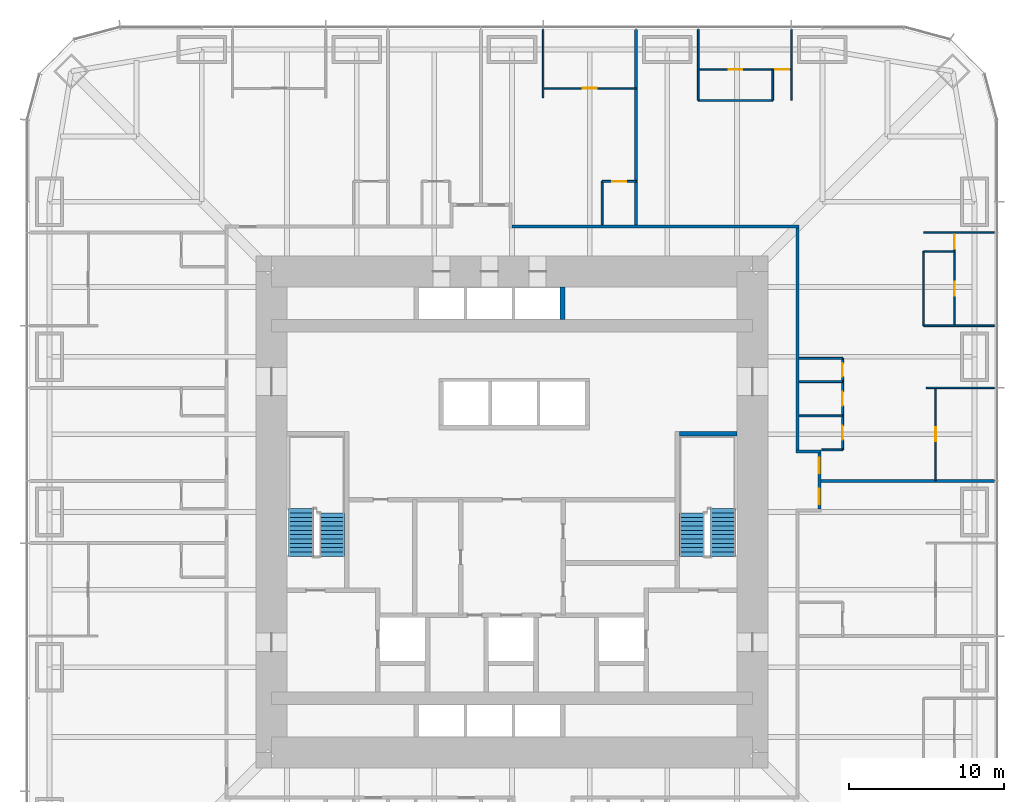
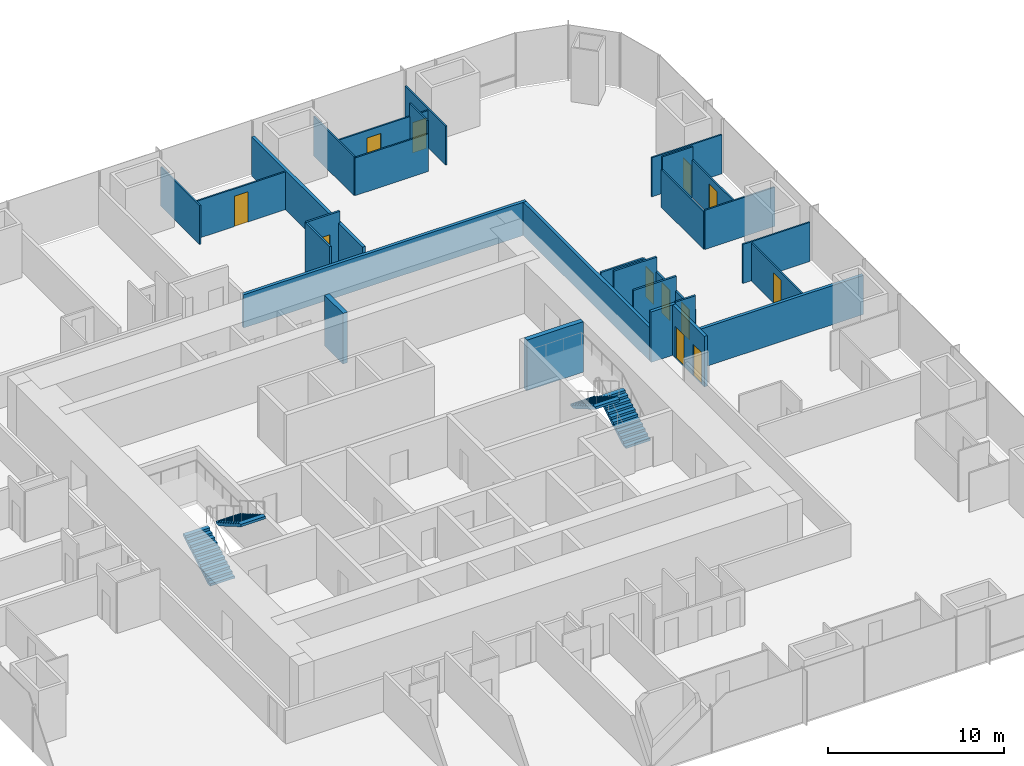
# One storey, part 15 of 16: 29 walls, 12 doors, 4 stair flights, 12 openings, 2 elements without a shape of their own.
"""IFC4 building model written with IfcOpenShell, lengths in metres."""

from ifc_helpers import new_model, si_unit, direction, frame, frame_2d, origin, place, context, subcontext, project, spatial, polyline, rectangle, outline, extrude, material, layer, layer_set, type_object, element, fill, aggregate, save


model = new_model("IFC4")

# Units and contexts
model_context = context("Model", 3, precision=1e-05, world=origin(), true_north=direction((0.0, 1.0)))
body_context = subcontext(model_context, "Body", "Model", "MODEL_VIEW")
ifc_project = project(units=[si_unit("LENGTHUNIT", "METRE"), si_unit("AREAUNIT", "SQUARE_METRE"), si_unit("VOLUMEUNIT", "CUBIC_METRE"), si_unit("PLANEANGLEUNIT", "RADIAN"), si_unit("MASSUNIT", "GRAM", prefix="KILO")], contexts=[model_context])

# Site, building, storey
site_placement = place(None, origin())
site = spatial("IfcSite", under=ifc_project, at=site_placement, CompositionType="ELEMENT")
building_placement = place(site_placement, origin())
building = spatial("IfcBuilding", under=site, at=building_placement, Name="Khuree Lantern Residences", CompositionType="ELEMENT")
storey_placement = place(building_placement, frame((0.0, 0.0, 69.75)))
storey = spatial("IfcBuildingStorey", under=building, at=storey_placement, Name="L17", CompositionType="ELEMENT", Elevation=69.75)

# Wall, openings, doors
ifc_material_1 = material(Name="Moisture-resistant gypsum board on steel studs", Category="steel")
ifc_layer_1 = layer(ifc_material_1, 0.125)
ifc_layer_set_1 = layer_set([ifc_layer_1], Name="BATHROOM WALL BTW125")
wall_type_1 = type_object("IfcWallType", Name="BATHROOM WALL BTW125", PredefinedType="PARTITIONING", material=ifc_layer_set_1)
wall_1_placement = place(storey_placement, frame((21.300048828125, 4.0, 0.0), z_axis=(0.0, 0.0, 1.0), x_axis=(0.0, 1.0, 0.0)))
wall_1 = element("IfcWall", 1, at=wall_1_placement, inside=storey, type_object=wall_type_1, Name="L17 BATHROOM WALL 02", PredefinedType="PARTITIONING", context=body_context, shape_type="SweptSolid", body=[
    extrude(rectangle(XDim=5.89990234375, YDim=0.125, at=frame_2d((2.949951171875, 0.0))), origin(), (0.0, 0.0, 1.0), 2.491943359375),
])
opening_1_placement = place(wall_1_placement, frame((0.64990234375, 0.0, 0.0)))
opening_1 = element("IfcOpeningElement", 2, at=opening_1_placement, cuts=wall_1, Name="Opening 17-028", PredefinedType="OPENING", context=body_context, shape_type="SweptSolid", body=[
    extrude(rectangle(XDim=0.89990234375, YDim=2.10009765625, at=frame_2d((0.449951171875, 1.050048828125))), frame((0.0, 0.072509765625, 0.0), z_axis=(0.0, -1.0, 0.0), x_axis=(1.0, 0.0, 0.0)), (0.0, 0.0, 1.0), 0.14501953125),
])
opening_2_placement = place(wall_1_placement, frame((2.85009765625, 0.0, 0.0)))
opening_2 = element("IfcOpeningElement", 3, at=opening_2_placement, cuts=wall_1, Name="Opening 17-029", PredefinedType="OPENING", context=body_context, shape_type="SweptSolid", body=[
    extrude(rectangle(XDim=0.89990234375, YDim=2.10009765625, at=frame_2d((0.449951171875, 1.050048828125))), frame((0.0, 0.072509765625, 0.0), z_axis=(0.0, -1.0, 0.0), x_axis=(1.0, 0.0, 0.0)), (0.0, 0.0, 1.0), 0.14501953125),
])
opening_3_placement = place(wall_1_placement, frame((4.699951171875, 0.0, 0.0)))
opening_3 = element("IfcOpeningElement", 4, at=opening_3_placement, cuts=wall_1, Name="Opening 17-030", PredefinedType="OPENING", context=body_context, shape_type="SweptSolid", body=[
    extrude(rectangle(XDim=0.89990234375, YDim=2.10009765625, at=frame_2d((0.449951171875, 1.050048828125))), frame((0.0, 0.072509765625, 0.0), z_axis=(0.0, -1.0, 0.0), x_axis=(1.0, 0.0, 0.0)), (0.0, 0.0, 1.0), 0.14501953125),
])
ifc_material_2 = material(Name="Timber door leaf in hardwood frame", Category="wood")
door_type_1 = type_object("IfcDoorType", Name="BATHROOM DOOR 900X2100", OperationType="SINGLE_SWING_LEFT", PredefinedType="DOOR", material=ifc_material_2)
door_1_placement = place(opening_1_placement, origin())
door_1 = element("IfcDoor", 5, at=door_1_placement, inside=storey, type_object=door_type_1, Name="Bathroom door 17-028", OperationType="SINGLE_SWING_LEFT", OverallHeight=2.10009765625, OverallWidth=0.89990234375, PredefinedType="DOOR", context=body_context, shape_type="SweptSolid", body=[
    extrude(rectangle(XDim=0.89990234375, YDim=2.10009765625, at=frame_2d((0.449951171875, 1.050048828125))), frame((0.0, 0.02490234375, 0.0), z_axis=(0.0, -1.0, 0.0), x_axis=(1.0, 0.0, 0.0)), (0.0, 0.0, 1.0), 0.050048828125),
])
fill(opening_1, door_1)
door_2_placement = place(opening_2_placement, origin())
door_2 = element("IfcDoor", 6, at=door_2_placement, inside=storey, type_object=door_type_1, Name="Bathroom door 17-029", OperationType="SINGLE_SWING_LEFT", OverallHeight=2.10009765625, OverallWidth=0.89990234375, PredefinedType="DOOR", context=body_context, shape_type="SweptSolid", body=[
    extrude(rectangle(XDim=0.89990234375, YDim=2.10009765625, at=frame_2d((0.449951171875, 1.050048828125))), frame((0.0, 0.02490234375, 0.0), z_axis=(0.0, -1.0, 0.0), x_axis=(1.0, 0.0, 0.0)), (0.0, 0.0, 1.0), 0.050048828125),
])
fill(opening_2, door_2)
door_type_2 = type_object("IfcDoorType", Name="WC DOOR 900X2100", OperationType="SINGLE_SWING_LEFT", PredefinedType="DOOR", material=ifc_material_2)
door_3_placement = place(opening_3_placement, origin())
door_3 = element("IfcDoor", 7, at=door_3_placement, inside=storey, type_object=door_type_2, Name="WC door 17-030", OperationType="SINGLE_SWING_LEFT", OverallHeight=2.10009765625, OverallWidth=0.89990234375, PredefinedType="DOOR", context=body_context, shape_type="SweptSolid", body=[
    extrude(rectangle(XDim=0.89990234375, YDim=2.10009765625, at=frame_2d((0.449951171875, 1.050048828125))), frame((0.0, 0.02490234375, 0.0), z_axis=(0.0, -1.0, 0.0), x_axis=(1.0, 0.0, 0.0)), (0.0, 0.0, 1.0), 0.050048828125),
])
fill(opening_3, door_3)

# Walls
wall_2_placement = place(storey_placement, frame((19.969970703125, 4.0, 0.0), z_axis=(0.0, 0.0, 1.0), x_axis=(1.0, 0.0, 0.0)))
element("IfcWall", 8, at=wall_2_placement, inside=storey, type_object=wall_type_1, Name="L17 BATHROOM WALL 02", PredefinedType="PARTITIONING", context=body_context, shape_type="SweptSolid", body=[
    extrude(rectangle(XDim=1.330078125, YDim=0.125, at=frame_2d((0.6650390625, 0.0))), origin(), (0.0, 0.0, 1.0), 3.5),
])
for number, where, z_axis, x_axis, name in (
    (9, (18.5, 6.199951171875, 0.0), (0.0, 0.0, 1.0), (1.0, 0.0, 0.0), "L17 BATHROOM WALL 02"),
    (10, (18.5, 8.39990234375, 0.0), (0.0, 0.0, 1.0), (1.0, 0.0, 0.0), "L17 BATHROOM WALL 02"),
):
    element("IfcWall", number, at=place(storey_placement, frame(where, z_axis=z_axis, x_axis=x_axis)), inside=storey, type_object=wall_type_1, Name=name, PredefinedType="PARTITIONING", context=body_context, shape_type="SweptSolid", body=[
        extrude(rectangle(XDim=2.800048828125, YDim=0.125, at=frame_2d((1.39990234375, 0.0))), origin(), (0.0, 0.0, 1.0), 3.5),
    ])
wall_3_placement = place(storey_placement, frame((18.5, 9.89990234375, 0.0), z_axis=(0.0, 0.0, 1.0), x_axis=(1.0, 0.0, 0.0)))
element("IfcWall", 11, at=wall_3_placement, inside=storey, type_object=wall_type_1, Name="L17 BATHROOM WALL 02", PredefinedType="PARTITIONING", context=body_context, shape_type="SweptSolid", body=[
    extrude(rectangle(XDim=2.800048828125, YDim=0.125, at=frame_2d((1.39990234375, 0.0))), origin(), (0.0, 0.0, 1.0), 2.491943359375),
])

# Wall, opening, door
wall_4_placement = place(storey_placement, frame((8.0, 21.300048828125, 0.0), z_axis=(0.0, 0.0, 1.0), x_axis=(-1.0, 0.0, 0.0)))
wall_4 = element("IfcWall", 12, at=wall_4_placement, inside=storey, type_object=wall_type_1, Name="L17 BATHROOM WALL 03", PredefinedType="PARTITIONING", context=body_context, shape_type="SweptSolid", body=[
    extrude(rectangle(XDim=2.199951171875, YDim=0.125, at=frame_2d((1.10009765625, 0.0))), origin(), (0.0, 0.0, 1.0), 3.5),
])
opening_4_placement = place(wall_4_placement, frame((0.64990234375, 0.0, 0.0)))
opening_4 = element("IfcOpeningElement", 13, at=opening_4_placement, cuts=wall_4, Name="Opening 17-033", PredefinedType="OPENING", context=body_context, shape_type="SweptSolid", body=[
    extrude(rectangle(XDim=0.89990234375, YDim=2.10009765625, at=frame_2d((0.449951171875, 1.050048828125))), frame((0.0, 0.072509765625, 0.0), z_axis=(0.0, -1.0, 0.0), x_axis=(1.0, 0.0, 0.0)), (0.0, 0.0, 1.0), 0.14501953125),
])
door_4_placement = place(opening_4_placement, origin())
door_4 = element("IfcDoor", 14, at=door_4_placement, inside=storey, type_object=door_type_1, Name="Bathroom door 17-033", OperationType="SINGLE_SWING_LEFT", OverallHeight=2.10009765625, OverallWidth=0.89990234375, PredefinedType="DOOR", context=body_context, shape_type="SweptSolid", body=[
    extrude(rectangle(XDim=0.89990234375, YDim=2.10009765625, at=frame_2d((0.449951171875, 1.050048828125))), frame((0.0, 0.02490234375, 0.0), z_axis=(0.0, -1.0, 0.0), x_axis=(1.0, 0.0, 0.0)), (0.0, 0.0, 1.0), 0.050048828125),
])
fill(opening_4, door_4)

# Walls
wall_5_placement = place(storey_placement, frame((5.800048828125, 18.5, 0.0), z_axis=(0.0, 0.0, 1.0), x_axis=(0.0, 1.0, 0.0)))
element("IfcWall", 15, at=wall_5_placement, inside=storey, type_object=wall_type_1, Name="L17 BATHROOM WALL 03", PredefinedType="PARTITIONING", context=body_context, shape_type="SweptSolid", body=[
    extrude(rectangle(XDim=2.800048828125, YDim=0.125, at=frame_2d((1.39990234375, 0.0))), origin(), (0.0, 0.0, 1.0), 3.5),
])
ifc_material_3 = material(Name="Dense concrete blockwork", Category="masonry")
ifc_layer_2 = layer(ifc_material_3, 0.300048828125)
ifc_layer_set_2 = layer_set([ifc_layer_2], Name="CORE PARTITION WALL CPW300 EI 120")
wall_type_2 = type_object("IfcWallType", Name="CORE PARTITION WALL CPW300 EI 120", PredefinedType="PARTITIONING", material=ifc_layer_set_2)
wall_6_placement = place(storey_placement, frame((3.25, 12.39990234375, 0.0), z_axis=(0.0, 0.0, 1.0), x_axis=(0.0, 1.0, 0.0)))
element("IfcWall", 16, at=wall_6_placement, inside=storey, type_object=wall_type_2, Name="L17 CORE WALL PLE", PredefinedType="PARTITIONING", context=body_context, shape_type="SweptSolid", body=[
    extrude(rectangle(XDim=2.10009765625, YDim=0.300048828125, at=frame_2d((1.050048828125, 0.0))), origin(), (0.0, 0.0, 1.0), 3.5),
])
ifc_material_4 = material(Name="Gypsum board on steel studs", Category="steel")
ifc_layer_3 = layer(ifc_material_4, 0.199951171875)
ifc_layer_set_3 = layer_set([ifc_layer_3], Name="CORRIDOR WALL CRW200 EI 60")
wall_type_3 = type_object("IfcWallType", Name="CORRIDOR WALL CRW200 EI 60", PredefinedType="PARTITIONING", material=ifc_layer_set_3)
wall_7_placement = place(storey_placement, frame((18.300048828125, 3.89990234375, 0.0), z_axis=(0.0, 0.0, 1.0), x_axis=(1.0, 0.0, 0.0)))
element("IfcWall", 17, at=wall_7_placement, inside=storey, type_object=wall_type_3, Name="L17 CORRIDOR ALCOVE WALL EAST", PredefinedType="PARTITIONING", context=body_context, shape_type="SweptSolid", body=[
    extrude(rectangle(XDim=1.599853515625, YDim=0.199951171875, at=frame_2d((0.7998046875, 0.0))), origin(), (0.0, 0.0, 1.0), 3.5),
])

# Wall, openings, doors
wall_8_placement = place(storey_placement, frame((19.800048828125, 0.199951171875, 0.0), z_axis=(0.0, 0.0, 1.0), x_axis=(0.0, 1.0, 0.0)))
wall_8 = element("IfcWall", 18, at=wall_8_placement, inside=storey, type_object=wall_type_3, Name="L17 CORRIDOR ALCOVE WALL EAST", PredefinedType="PARTITIONING", context=body_context, shape_type="SweptSolid", body=[
    extrude(rectangle(XDim=3.60009765625, YDim=0.199951171875, at=frame_2d((1.800048828125, 0.0))), origin(), (0.0, 0.0, 1.0), 3.5),
])
opening_5_placement = place(wall_8_placement, frame((0.300048828125, 0.0, 0.0)))
opening_5 = element("IfcOpeningElement", 19, at=opening_5_placement, cuts=wall_8, Name="Opening 17-022", PredefinedType="OPENING", context=body_context, shape_type="SweptSolid", body=[
    extrude(rectangle(XDim=1.0, YDim=2.199951171875, at=frame_2d((0.5, 1.10009765625))), frame((0.0, 0.10986328125, 0.0), z_axis=(0.0, -1.0, 0.0), x_axis=(1.0, 0.0, 0.0)), (0.0, 0.0, 1.0), 0.219970703125),
])
opening_6_placement = place(wall_8_placement, frame((2.300048828125, 0.0, 0.0)))
opening_6 = element("IfcOpeningElement", 20, at=opening_6_placement, cuts=wall_8, Name="Opening 17-031", PredefinedType="OPENING", context=body_context, shape_type="SweptSolid", body=[
    extrude(rectangle(XDim=1.0, YDim=2.199951171875, at=frame_2d((0.5, 1.10009765625))), frame((0.0, 0.10986328125, 0.0), z_axis=(0.0, -1.0, 0.0), x_axis=(1.0, 0.0, 0.0)), (0.0, 0.0, 1.0), 0.219970703125),
])
door_type_3 = type_object("IfcDoorType", Name="APARTMENT ENTRANCE DOOR 1000X2200 EI 30S", OperationType="SINGLE_SWING_LEFT", PredefinedType="DOOR", material=ifc_material_2)
door_5_placement = place(opening_5_placement, origin())
door_5 = element("IfcDoor", 21, at=door_5_placement, inside=storey, type_object=door_type_3, Name="Apartment 01 entrance door 17-022", OperationType="SINGLE_SWING_LEFT", OverallHeight=2.199951171875, OverallWidth=1.0, PredefinedType="DOOR", context=body_context, shape_type="SweptSolid", body=[
    extrude(rectangle(XDim=1.0, YDim=2.199951171875, at=frame_2d((0.5, 1.10009765625))), frame((0.0, 0.02490234375, 0.0), z_axis=(0.0, -1.0, 0.0), x_axis=(1.0, 0.0, 0.0)), (0.0, 0.0, 1.0), 0.050048828125),
])
fill(opening_5, door_5)
door_type_4 = type_object("IfcDoorType", Name="APARTMENT ENTRANCE DOOR 1000X2200 EI 30S RIGHT HAND", OperationType="SINGLE_SWING_RIGHT", PredefinedType="DOOR", material=ifc_material_2)
door_6_placement = place(opening_6_placement, origin())
door_6 = element("IfcDoor", 22, at=door_6_placement, inside=storey, type_object=door_type_4, Name="Apartment 02 entrance door 17-031", OperationType="SINGLE_SWING_RIGHT", OverallHeight=2.199951171875, OverallWidth=1.0, PredefinedType="DOOR", context=body_context, shape_type="SweptSolid", body=[
    extrude(rectangle(XDim=1.0, YDim=2.199951171875, at=frame_2d((0.5, 1.10009765625))), frame((0.0, 0.02490234375, 0.0), z_axis=(0.0, -1.0, 0.0), x_axis=(1.0, 0.0, 0.0)), (0.0, 0.0, 1.0), 0.050048828125),
])
fill(opening_6, door_6)

# Walls
wall_9_placement = place(storey_placement, frame((18.39990234375, 4.0, 0.0), z_axis=(0.0, 0.0, 1.0), x_axis=(0.0, 1.0, 0.0)))
element("IfcWall", 23, at=wall_9_placement, inside=storey, type_object=wall_type_3, Name="L17 CORRIDOR WALL EAST 2", PredefinedType="PARTITIONING", context=body_context, shape_type="SweptSolid", body=[
    extrude(rectangle(XDim=14.300048828125, YDim=0.199951171875, at=frame_2d((7.14990234375, 0.0))), origin(), (0.0, 0.0, 1.0), 2.300048828125),
])
wall_10_placement = place(storey_placement, frame((0.0, 18.39990234375, 0.0), z_axis=(0.0, 0.0, 1.0), x_axis=(1.0, 0.0, 0.0)))
element("IfcWall", 24, at=wall_10_placement, inside=storey, type_object=wall_type_3, Name="L17 CORRIDOR WALL NORTH 2", PredefinedType="PARTITIONING", context=body_context, shape_type="SweptSolid", body=[
    extrude(rectangle(XDim=18.5, YDim=0.199951171875, at=frame_2d((9.25, 0.0))), origin(), (0.0, 0.0, 1.0), 2.300048828125),
])
ifc_layer_4 = layer(ifc_material_4, 0.199951171875)
ifc_layer_set_4 = layer_set([ifc_layer_4], Name="DEMISING WALL DMW200 EI 90")
wall_type_4 = type_object("IfcWallType", Name="DEMISING WALL DMW200 EI 90", PredefinedType="PARTITIONING", material=ifc_layer_set_4)
wall_11_placement = place(storey_placement, frame((19.89990234375, 2.0, 0.0), z_axis=(0.0, 0.0, 1.0), x_axis=(1.0, 0.0, 0.0)))
element("IfcWall", 25, at=wall_11_placement, inside=storey, type_object=wall_type_4, Name="L17 DEMISING WALL 02", PredefinedType="PARTITIONING", context=body_context, shape_type="SweptSolid", body=[
    extrude(rectangle(XDim=11.2001953125, YDim=0.199951171875, at=frame_2d((5.60009765625, 0.0))), origin(), (0.0, 0.0, 1.0), 2.7099609375),
])
wall_12_placement = place(storey_placement, frame((8.0, 18.5, 0.0), z_axis=(0.0, 0.0, 1.0), x_axis=(0.0, 1.0, 0.0)))
element("IfcWall", 26, at=wall_12_placement, inside=storey, type_object=wall_type_4, Name="L17 DEMISING WALL 03", PredefinedType="PARTITIONING", context=body_context, shape_type="SweptSolid", body=[
    extrude(rectangle(XDim=12.60009765625, YDim=0.199951171875, at=frame_2d((6.300048828125, 0.0))), origin(), (0.0, 0.0, 1.0), 2.7099609375),
])
ifc_layer_5 = layer(ifc_material_4, 0.10009765625)
ifc_layer_set_5 = layer_set([ifc_layer_5], Name="PARTITION PT100")
wall_type_5 = type_object("IfcWallType", Name="PARTITION PT100", PredefinedType="PARTITIONING", material=ifc_layer_set_5)
wall_13_placement = place(storey_placement, frame((26.699951171875, 8.0, 0.0), z_axis=(0.0, 0.0, 1.0), x_axis=(1.0, 0.0, 0.0)))
element("IfcWall", 27, at=wall_13_placement, inside=storey, type_object=wall_type_5, Name="L17 PARTITION 02", PredefinedType="PARTITIONING", context=body_context, shape_type="SweptSolid", body=[
    extrude(rectangle(XDim=4.400146484375, YDim=0.10009765625, at=frame_2d((2.2001953125, 0.0))), origin(), (0.0, 0.0, 1.0), 2.7099609375),
])
for number, where, z_axis, x_axis, name in (
    (28, (26.5166015625, 12.0, 0.0), (0.0, 0.0, 1.0), (1.0, 0.0, 0.0), "L17 PARTITION 02"),
    (29, (26.5166015625, 18.0, 0.0), (0.0, 0.0, 1.0), (1.0, 0.0, 0.0), "L17 PARTITION 02"),
    (30, (18.0, 26.5166015625, 0.0), (0.0, 0.0, 1.0), (0.0, 1.0, 0.0), "L17 PARTITION 02"),
    (31, (12.0, 26.5166015625, 0.0), (0.0, 0.0, 1.0), (0.0, 1.0, 0.0), "L17 PARTITION 02"),
):
    element("IfcWall", number, at=place(storey_placement, frame(where, z_axis=z_axis, x_axis=x_axis)), inside=storey, type_object=wall_type_5, Name=name, PredefinedType="PARTITIONING", context=body_context, shape_type="SweptSolid", body=[
        extrude(rectangle(XDim=4.58349609375, YDim=0.10009765625, at=frame_2d((2.291748046875, 0.0))), origin(), (0.0, 0.0, 1.0), 2.7099609375),
    ])
wall_14_placement = place(storey_placement, frame((2.0, 26.699951171875, 0.0), z_axis=(0.0, 0.0, 1.0), x_axis=(0.0, 1.0, 0.0)))
element("IfcWall", 32, at=wall_14_placement, inside=storey, type_object=wall_type_5, Name="L17 PARTITION 03", PredefinedType="PARTITIONING", context=body_context, shape_type="SweptSolid", body=[
    extrude(rectangle(XDim=4.400146484375, YDim=0.10009765625, at=frame_2d((2.2001953125, 0.0))), origin(), (0.0, 0.0, 1.0), 2.7099609375),
])

# Wall, opening, door
wall_15_placement = place(storey_placement, frame((27.300048828125, 2.0, 0.0), z_axis=(0.0, 0.0, 1.0), x_axis=(0.0, 1.0, 0.0)))
wall_15 = element("IfcWall", 33, at=wall_15_placement, inside=storey, type_object=wall_type_5, Name="L17 PARTITION 02", PredefinedType="PARTITIONING", context=body_context, shape_type="SweptSolid", body=[
    extrude(rectangle(XDim=6.0, YDim=0.10009765625, at=frame_2d((3.0, 0.0))), origin(), (0.0, 0.0, 1.0), 2.610107421875),
])
opening_7_placement = place(wall_15_placement, frame((2.550048828125, 0.0, 0.0)))
opening_7 = element("IfcOpeningElement", 34, at=opening_7_placement, cuts=wall_15, Name="Opening 17-023", PredefinedType="OPENING", context=body_context, shape_type="SweptSolid", body=[
    extrude(rectangle(XDim=0.89990234375, YDim=2.10009765625, at=frame_2d((0.449951171875, 1.050048828125))), frame((0.0, 0.06005859375, 0.0), z_axis=(0.0, -1.0, 0.0), x_axis=(1.0, 0.0, 0.0)), (0.0, 0.0, 1.0), 0.1201171875),
])
door_type_5 = type_object("IfcDoorType", Name="BEDROOM DOOR 900X2100", OperationType="SINGLE_SWING_LEFT", PredefinedType="DOOR", material=ifc_material_2)
door_7_placement = place(opening_7_placement, origin())
door_7 = element("IfcDoor", 35, at=door_7_placement, inside=storey, type_object=door_type_5, Name="Bedroom door 17-023", OperationType="SINGLE_SWING_LEFT", OverallHeight=2.10009765625, OverallWidth=0.89990234375, PredefinedType="DOOR", context=body_context, shape_type="SweptSolid", body=[
    extrude(rectangle(XDim=0.89990234375, YDim=2.10009765625, at=frame_2d((0.449951171875, 1.050048828125))), frame((0.0, 0.02490234375, 0.0), z_axis=(0.0, -1.0, 0.0), x_axis=(1.0, 0.0, 0.0)), (0.0, 0.0, 1.0), 0.050048828125),
])
fill(opening_7, door_7)

# Wall, openings, doors
wall_16_placement = place(storey_placement, frame((28.5166015625, 12.0, 0.0), z_axis=(0.0, 0.0, 1.0), x_axis=(0.0, 1.0, 0.0)))
wall_16 = element("IfcWall", 36, at=wall_16_placement, inside=storey, type_object=wall_type_5, Name="L17 PARTITION 02", PredefinedType="PARTITIONING", context=body_context, shape_type="SweptSolid", body=[
    extrude(rectangle(XDim=6.0, YDim=0.10009765625, at=frame_2d((3.0, 0.0))), origin(), (0.0, 0.0, 1.0), 2.610107421875),
])
opening_8_placement = place(wall_16_placement, frame((4.949951171875, 0.0, 0.0)))
opening_8 = element("IfcOpeningElement", 37, at=opening_8_placement, cuts=wall_16, Name="Opening 17-024", PredefinedType="OPENING", context=body_context, shape_type="SweptSolid", body=[
    extrude(rectangle(XDim=0.89990234375, YDim=2.10009765625, at=frame_2d((0.449951171875, 1.050048828125))), frame((0.0, 0.06005859375, 0.0), z_axis=(0.0, -1.0, 0.0), x_axis=(1.0, 0.0, 0.0)), (0.0, 0.0, 1.0), 0.1201171875),
])
opening_9_placement = place(wall_16_placement, frame((1.949951171875, 0.0, 0.0)))
opening_9 = element("IfcOpeningElement", 38, at=opening_9_placement, cuts=wall_16, Name="Opening 17-025", PredefinedType="OPENING", context=body_context, shape_type="SweptSolid", body=[
    extrude(rectangle(XDim=0.89990234375, YDim=2.10009765625, at=frame_2d((0.449951171875, 1.050048828125))), frame((0.0, 0.06005859375, 0.0), z_axis=(0.0, -1.0, 0.0), x_axis=(1.0, 0.0, 0.0)), (0.0, 0.0, 1.0), 0.1201171875),
])
door_8_placement = place(opening_8_placement, origin())
door_8 = element("IfcDoor", 39, at=door_8_placement, inside=storey, type_object=door_type_5, Name="Bedroom door 17-024", OperationType="SINGLE_SWING_LEFT", OverallHeight=2.10009765625, OverallWidth=0.89990234375, PredefinedType="DOOR", context=body_context, shape_type="SweptSolid", body=[
    extrude(rectangle(XDim=0.89990234375, YDim=2.10009765625, at=frame_2d((0.449951171875, 1.050048828125))), frame((0.0, 0.02490234375, 0.0), z_axis=(0.0, -1.0, 0.0), x_axis=(1.0, 0.0, 0.0)), (0.0, 0.0, 1.0), 0.050048828125),
])
fill(opening_8, door_8)
door_type_6 = type_object("IfcDoorType", Name="DOOR 900X2100", OperationType="SINGLE_SWING_LEFT", PredefinedType="DOOR", material=ifc_material_2)
door_9_placement = place(opening_9_placement, origin())
door_9 = element("IfcDoor", 40, at=door_9_placement, inside=storey, type_object=door_type_6, Name="Wardrobe door 17-025", OperationType="SINGLE_SWING_LEFT", OverallHeight=2.10009765625, OverallWidth=0.89990234375, PredefinedType="DOOR", context=body_context, shape_type="SweptSolid", body=[
    extrude(rectangle(XDim=0.89990234375, YDim=2.10009765625, at=frame_2d((0.449951171875, 1.050048828125))), frame((0.0, 0.02490234375, 0.0), z_axis=(0.0, -1.0, 0.0), x_axis=(1.0, 0.0, 0.0)), (0.0, 0.0, 1.0), 0.050048828125),
])
fill(opening_9, door_9)

# Walls
wall_17_placement = place(storey_placement, frame((26.5166015625, 16.800048828125, 0.0), z_axis=(0.0, 0.0, 1.0), x_axis=(1.0, 0.0, 0.0)))
element("IfcWall", 41, at=wall_17_placement, inside=storey, type_object=wall_type_5, Name="L17 PARTITION 02", PredefinedType="PARTITIONING", context=body_context, shape_type="SweptSolid", body=[
    extrude(rectangle(XDim=2.0, YDim=0.10009765625, at=frame_2d((1.0, 0.0))), origin(), (0.0, 0.0, 1.0), 3.5),
])
wall_18_placement = place(storey_placement, frame((26.5166015625, 12.0, 0.0), z_axis=(0.0, 0.0, 1.0), x_axis=(0.0, 1.0, 0.0)))
element("IfcWall", 42, at=wall_18_placement, inside=storey, type_object=wall_type_5, Name="L17 PARTITION 02", PredefinedType="PARTITIONING", context=body_context, shape_type="SweptSolid", body=[
    extrude(rectangle(XDim=4.800048828125, YDim=0.10009765625, at=frame_2d((2.39990234375, 0.0))), origin(), (0.0, 0.0, 1.0), 2.610107421875),
])

# Wall, openings, doors
wall_19_placement = place(storey_placement, frame((18.0, 28.5166015625, 0.0), z_axis=(0.0, 0.0, 1.0), x_axis=(-1.0, 0.0, 0.0)))
wall_19 = element("IfcWall", 43, at=wall_19_placement, inside=storey, type_object=wall_type_5, Name="L17 PARTITION 02", PredefinedType="PARTITIONING", context=body_context, shape_type="SweptSolid", body=[
    extrude(rectangle(XDim=6.0, YDim=0.10009765625, at=frame_2d((3.0, 0.0))), origin(), (0.0, 0.0, 1.0), 2.610107421875),
])
opening_10_placement = place(wall_19_placement, frame((0.14990234375, 0.0, 0.0)))
opening_10 = element("IfcOpeningElement", 44, at=opening_10_placement, cuts=wall_19, Name="Opening 17-026", PredefinedType="OPENING", context=body_context, shape_type="SweptSolid", body=[
    extrude(rectangle(XDim=0.89990234375, YDim=2.10009765625, at=frame_2d((0.449951171875, 1.050048828125))), frame((0.0, 0.06005859375, 0.0), z_axis=(0.0, -1.0, 0.0), x_axis=(1.0, 0.0, 0.0)), (0.0, 0.0, 1.0), 0.1201171875),
])
opening_11_placement = place(wall_19_placement, frame((3.14990234375, 0.0, 0.0)))
opening_11 = element("IfcOpeningElement", 45, at=opening_11_placement, cuts=wall_19, Name="Opening 17-027", PredefinedType="OPENING", context=body_context, shape_type="SweptSolid", body=[
    extrude(rectangle(XDim=0.89990234375, YDim=2.10009765625, at=frame_2d((0.449951171875, 1.050048828125))), frame((0.0, 0.06005859375, 0.0), z_axis=(0.0, -1.0, 0.0), x_axis=(1.0, 0.0, 0.0)), (0.0, 0.0, 1.0), 0.1201171875),
])
door_10_placement = place(opening_10_placement, origin())
door_10 = element("IfcDoor", 46, at=door_10_placement, inside=storey, type_object=door_type_5, Name="Bedroom door 17-026", OperationType="SINGLE_SWING_LEFT", OverallHeight=2.10009765625, OverallWidth=0.89990234375, PredefinedType="DOOR", context=body_context, shape_type="SweptSolid", body=[
    extrude(rectangle(XDim=0.89990234375, YDim=2.10009765625, at=frame_2d((0.449951171875, 1.050048828125))), frame((0.0, 0.02490234375, 0.0), z_axis=(0.0, -1.0, 0.0), x_axis=(1.0, 0.0, 0.0)), (0.0, 0.0, 1.0), 0.050048828125),
])
fill(opening_10, door_10)
door_11_placement = place(opening_11_placement, origin())
door_11 = element("IfcDoor", 47, at=door_11_placement, inside=storey, type_object=door_type_6, Name="Wardrobe door 17-027", OperationType="SINGLE_SWING_LEFT", OverallHeight=2.10009765625, OverallWidth=0.89990234375, PredefinedType="DOOR", context=body_context, shape_type="SweptSolid", body=[
    extrude(rectangle(XDim=0.89990234375, YDim=2.10009765625, at=frame_2d((0.449951171875, 1.050048828125))), frame((0.0, 0.02490234375, 0.0), z_axis=(0.0, -1.0, 0.0), x_axis=(1.0, 0.0, 0.0)), (0.0, 0.0, 1.0), 0.050048828125),
])
fill(opening_11, door_11)

# Walls
wall_20_placement = place(storey_placement, frame((16.800048828125, 26.5166015625, 0.0), z_axis=(0.0, 0.0, 1.0), x_axis=(0.0, 1.0, 0.0)))
element("IfcWall", 48, at=wall_20_placement, inside=storey, type_object=wall_type_5, Name="L17 PARTITION 02", PredefinedType="PARTITIONING", context=body_context, shape_type="SweptSolid", body=[
    extrude(rectangle(XDim=2.0, YDim=0.10009765625, at=frame_2d((1.0, 0.0))), origin(), (0.0, 0.0, 1.0), 3.5),
])
wall_21_placement = place(storey_placement, frame((16.800048828125, 26.5166015625, 0.0), z_axis=(0.0, 0.0, 1.0), x_axis=(-1.0, 0.0, 0.0)))
element("IfcWall", 49, at=wall_21_placement, inside=storey, type_object=wall_type_5, Name="L17 PARTITION 02", PredefinedType="PARTITIONING", context=body_context, shape_type="SweptSolid", body=[
    extrude(rectangle(XDim=4.800048828125, YDim=0.10009765625, at=frame_2d((2.39990234375, 0.0))), origin(), (0.0, 0.0, 1.0), 2.610107421875),
])

# Wall, opening, door
wall_22_placement = place(storey_placement, frame((8.0, 27.300048828125, 0.0), z_axis=(0.0, 0.0, 1.0), x_axis=(-1.0, 0.0, 0.0)))
wall_22 = element("IfcWall", 50, at=wall_22_placement, inside=storey, type_object=wall_type_5, Name="L17 PARTITION 03", PredefinedType="PARTITIONING", context=body_context, shape_type="SweptSolid", body=[
    extrude(rectangle(XDim=6.0, YDim=0.10009765625, at=frame_2d((3.0, 0.0))), origin(), (0.0, 0.0, 1.0), 2.610107421875),
])
opening_12_placement = place(wall_22_placement, frame((2.550048828125, 0.0, 0.0)))
opening_12 = element("IfcOpeningElement", 51, at=opening_12_placement, cuts=wall_22, Name="Opening 17-032", PredefinedType="OPENING", context=body_context, shape_type="SweptSolid", body=[
    extrude(rectangle(XDim=0.89990234375, YDim=2.10009765625, at=frame_2d((0.449951171875, 1.050048828125))), frame((0.0, 0.06005859375, 0.0), z_axis=(0.0, -1.0, 0.0), x_axis=(1.0, 0.0, 0.0)), (0.0, 0.0, 1.0), 0.1201171875),
])
door_12_placement = place(opening_12_placement, origin())
door_12 = element("IfcDoor", 52, at=door_12_placement, inside=storey, type_object=door_type_5, Name="Bedroom door 17-032", OperationType="SINGLE_SWING_LEFT", OverallHeight=2.10009765625, OverallWidth=0.89990234375, PredefinedType="DOOR", context=body_context, shape_type="SweptSolid", body=[
    extrude(rectangle(XDim=0.89990234375, YDim=2.10009765625, at=frame_2d((0.449951171875, 1.050048828125))), frame((0.0, 0.02490234375, 0.0), z_axis=(0.0, -1.0, 0.0), x_axis=(1.0, 0.0, 0.0)), (0.0, 0.0, 1.0), 0.050048828125),
])
fill(opening_12, door_12)

# Wall
ifc_material_5 = material(Name="Concrete C50/60", Category="concrete")
ifc_layer_6 = layer(ifc_material_5, 0.300048828125)
ifc_layer_set_6 = layer_set([ifc_layer_6], Name="STAIR WALL SRW300 C50/60 REI 240")
wall_type_6 = type_object("IfcWallType", Name="STAIR WALL SRW300 C50/60 REI 240", PredefinedType="SOLIDWALL", material=ifc_layer_set_6)
wall_23_placement = place(storey_placement, frame((14.5, 5.050048828125, 0.0), z_axis=(0.0, 0.0, 1.0), x_axis=(-1.0, 0.0, 0.0)))
element("IfcWall", 53, at=wall_23_placement, inside=storey, type_object=wall_type_6, Name="L17 STAIR WALL ST2N", PredefinedType="SOLIDWALL", context=body_context, shape_type="SweptSolid", body=[
    extrude(rectangle(XDim=3.699951171875, YDim=0.300048828125, at=frame_2d((1.85009765625, 0.0))), origin(), (0.0, 0.0, 1.0), 3.5),
])

# Stair, stair flights
ifc_material_6 = material(Name="Concrete C40/50", Category="concrete")
stair_type = type_object("IfcStairType", Name="STAIR ST1 HALF TURN 3600", PredefinedType="HALF_TURN_STAIR", material=ifc_material_6)
stair_1_placement = place(storey_placement, origin())
stair_1 = element("IfcStair", 54, at=stair_1_placement, inside=storey, type_object=stair_type, Name="Stair ST1", PredefinedType="HALF_TURN_STAIR")
stair_flight_type = type_object("IfcStairFlightType", Name="STAIR FLIGHT SF1 1600", PredefinedType="STRAIGHT", material=ifc_material_6)
stair_flight_1_placement = place(storey_placement, frame((-13.60009765625, -2.860107421875, 0.0), z_axis=(0.0, 0.0, 1.0), x_axis=(0.0, 1.0, 0.0)))
stair_flight_1 = element("IfcStairFlight", 55, at=stair_flight_1_placement, type_object=stair_flight_type, Name="ST1 flight 1", NumberOfRisers=12, NumberOfTreads=11, PredefinedType="STRAIGHT", RiserHeight=0.163043478, TreadLength=0.28, context=body_context, shape_type="SweptSolid", body=[
    extrude(outline(polyline([(0.0, 0.0), (0.0, 0.1630859375), (0.280029296875, 0.1630859375), (0.280029296875, 0.326171875), (0.56005859375, 0.326171875), (0.56005859375, 0.489013671875), (0.840087890625, 0.489013671875), (0.840087890625, 0.652099609375), (1.1201171875, 0.652099609375), (1.1201171875, 0.815185546875), (1.39990234375, 0.815185546875), (1.39990234375, 0.978271484375), (1.679931640625, 0.978271484375), (1.679931640625, 1.141357421875), (1.9599609375, 1.141357421875), (1.9599609375, 1.304443359375), (2.239990234375, 1.304443359375), (2.239990234375, 1.46728515625), (2.52001953125, 1.46728515625), (2.52001953125, 1.63037109375), (2.800048828125, 1.63037109375), (2.800048828125, 1.79345703125), (3.080078125, 1.79345703125), (3.080078125, 1.95654296875), (3.080078125, 1.6201171875), (0.2978515625, 0.0), (0.0, 0.0)])), frame((0.0, 0.800048828125, 0.0), z_axis=(0.0, -1.0, 0.0), x_axis=(1.0, 0.0, 0.0)), (0.0, 0.0, 1.0), 1.60009765625),
])
stair_flight_2_placement = place(storey_placement, frame((-11.60009765625, -0.06005859375, 1.95654296875), z_axis=(0.0, 0.0, 1.0), x_axis=(0.0, -1.0, 0.0)))
stair_flight_2 = element("IfcStairFlight", 56, at=stair_flight_2_placement, type_object=stair_flight_type, Name="ST1 flight 2", NumberOfRisers=11, NumberOfTreads=10, PredefinedType="STRAIGHT", RiserHeight=0.163043478, TreadLength=0.28, context=body_context, shape_type="SweptSolid", body=[
    extrude(outline(polyline([(0.0, 0.0), (0.0, 0.1630859375), (0.280029296875, 0.1630859375), (0.280029296875, 0.326171875), (0.56005859375, 0.326171875), (0.56005859375, 0.489013671875), (0.840087890625, 0.489013671875), (0.840087890625, 0.652099609375), (1.1201171875, 0.652099609375), (1.1201171875, 0.815185546875), (1.39990234375, 0.815185546875), (1.39990234375, 0.978271484375), (1.679931640625, 0.978271484375), (1.679931640625, 1.141357421875), (1.9599609375, 1.141357421875), (1.9599609375, 1.304443359375), (2.239990234375, 1.304443359375), (2.239990234375, 1.46728515625), (2.52001953125, 1.46728515625), (2.52001953125, 1.63037109375), (2.800048828125, 1.63037109375), (2.800048828125, 1.79345703125), (2.800048828125, 1.45703125), (0.2978515625, 0.0), (0.0, 0.0)])), frame((0.0, 0.800048828125, 0.0), z_axis=(0.0, -1.0, 0.0), x_axis=(1.0, 0.0, 0.0)), (0.0, 0.0, 1.0), 1.60009765625),
])
aggregate(stair_1, [stair_flight_1, stair_flight_2])

stair_2_placement = place(storey_placement, origin())
stair_2 = element("IfcStair", 57, at=stair_2_placement, inside=storey, type_object=stair_type, Name="Stair ST2", PredefinedType="HALF_TURN_STAIR")
stair_flight_3_placement = place(storey_placement, frame((13.60009765625, -2.860107421875, 0.0), z_axis=(0.0, 0.0, 1.0), x_axis=(0.0, 1.0, 0.0)))
stair_flight_3 = element("IfcStairFlight", 58, at=stair_flight_3_placement, type_object=stair_flight_type, Name="ST2 flight 1", NumberOfRisers=12, NumberOfTreads=11, PredefinedType="STRAIGHT", RiserHeight=0.163043478, TreadLength=0.28, context=body_context, shape_type="SweptSolid", body=[
    extrude(outline(polyline([(0.0, 0.0), (0.0, 0.1630859375), (0.280029296875, 0.1630859375), (0.280029296875, 0.326171875), (0.56005859375, 0.326171875), (0.56005859375, 0.489013671875), (0.840087890625, 0.489013671875), (0.840087890625, 0.652099609375), (1.1201171875, 0.652099609375), (1.1201171875, 0.815185546875), (1.39990234375, 0.815185546875), (1.39990234375, 0.978271484375), (1.679931640625, 0.978271484375), (1.679931640625, 1.141357421875), (1.9599609375, 1.141357421875), (1.9599609375, 1.304443359375), (2.239990234375, 1.304443359375), (2.239990234375, 1.46728515625), (2.52001953125, 1.46728515625), (2.52001953125, 1.63037109375), (2.800048828125, 1.63037109375), (2.800048828125, 1.79345703125), (3.080078125, 1.79345703125), (3.080078125, 1.95654296875), (3.080078125, 1.6201171875), (0.2978515625, 0.0), (0.0, 0.0)])), frame((0.0, 0.800048828125, 0.0), z_axis=(0.0, -1.0, 0.0), x_axis=(1.0, 0.0, 0.0)), (0.0, 0.0, 1.0), 1.60009765625),
])
stair_flight_4_placement = place(storey_placement, frame((11.60009765625, -0.06005859375, 1.95654296875), z_axis=(0.0, 0.0, 1.0), x_axis=(0.0, -1.0, 0.0)))
stair_flight_4 = element("IfcStairFlight", 59, at=stair_flight_4_placement, type_object=stair_flight_type, Name="ST2 flight 2", NumberOfRisers=11, NumberOfTreads=10, PredefinedType="STRAIGHT", RiserHeight=0.163043478, TreadLength=0.28, context=body_context, shape_type="SweptSolid", body=[
    extrude(outline(polyline([(0.0, 0.0), (0.0, 0.1630859375), (0.280029296875, 0.1630859375), (0.280029296875, 0.326171875), (0.56005859375, 0.326171875), (0.56005859375, 0.489013671875), (0.840087890625, 0.489013671875), (0.840087890625, 0.652099609375), (1.1201171875, 0.652099609375), (1.1201171875, 0.815185546875), (1.39990234375, 0.815185546875), (1.39990234375, 0.978271484375), (1.679931640625, 0.978271484375), (1.679931640625, 1.141357421875), (1.9599609375, 1.141357421875), (1.9599609375, 1.304443359375), (2.239990234375, 1.304443359375), (2.239990234375, 1.46728515625), (2.52001953125, 1.46728515625), (2.52001953125, 1.63037109375), (2.800048828125, 1.63037109375), (2.800048828125, 1.79345703125), (2.800048828125, 1.45703125), (0.2978515625, 0.0), (0.0, 0.0)])), frame((0.0, 0.800048828125, 0.0), z_axis=(0.0, -1.0, 0.0), x_axis=(1.0, 0.0, 0.0)), (0.0, 0.0, 1.0), 1.60009765625),
])
aggregate(stair_2, [stair_flight_3, stair_flight_4])

save(model, "model.ifc")
